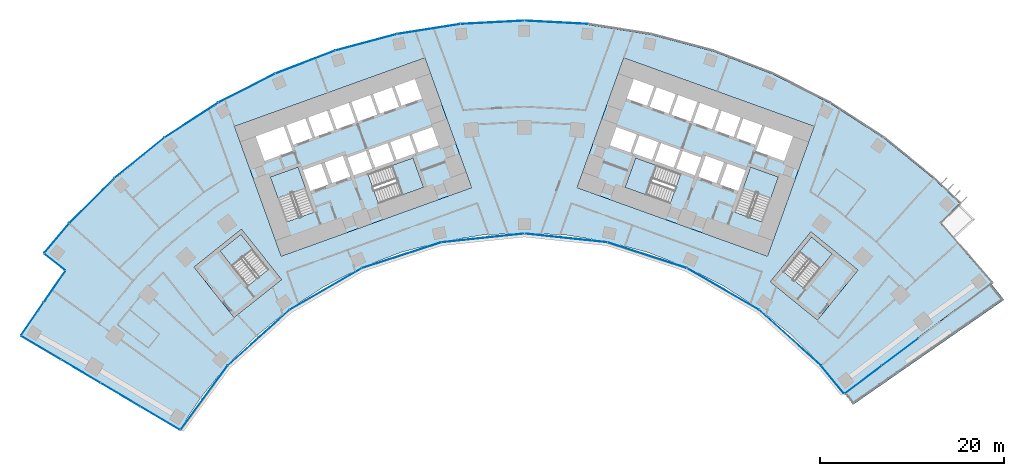
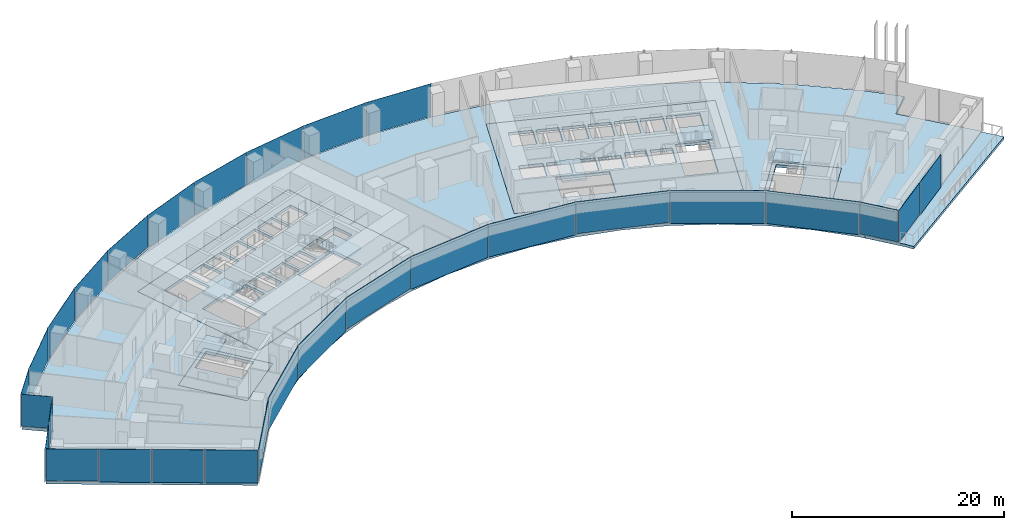
# One storey, part 12 of 21: 29 plates, 12 slabs, 12 elements without a shape of their own.
"""IFC4 building model written with IfcOpenShell, lengths in metres."""

import ifcopenshell
import ifcopenshell.guid

model = None  # the IFC model being written
_history = None  # IfcOwnerHistory: only IFC2X3 demands one
_inside = {}  # id of a spatial element -> (the spatial element, [elements in it])
_under = {}  # id of a project, library or spatial element -> (it, [spatial elements below it])
_declared = {}  # id of a project -> (the project, [libraries it declares])
_typed = {}  # id of a type object -> (the type object, [elements of that type])
_made_of = {}  # id of a material, layer set ... -> (it, [elements and type objects made of it])


def new_model(schema):
    """Start an empty IFC model of exactly this schema.

    Asked for "IFC4X3", IfcOpenShell would pick the latest addendum, in which some entities
    have other attributes; the version numbers below select the first issue.
    IFC2X3 requires an IfcOwnerHistory on every rooted entity: one is made here for all.
    """
    global model, _history
    if schema == "IFC4X3":
        model = ifcopenshell.file(schema_version=(4, 3, 0, 0))
    else:
        model = ifcopenshell.file(schema=schema)
    _inside.clear()
    _under.clear()
    _declared.clear()
    _typed.clear()
    _made_of.clear()
    _history = None
    if model.schema == "IFC2X3":
        org = make("IfcOrganization", Name="unknown")
        user = make(
            "IfcPersonAndOrganization",
            ThePerson=make("IfcPerson", FamilyName="unknown"),
            TheOrganization=org,
        )
        app = make(
            "IfcApplication",
            ApplicationDeveloper=org,
            Version="unknown",
            ApplicationFullName="unknown",
            ApplicationIdentifier="unknown",
        )
        _history = make(
            "IfcOwnerHistory",
            OwningUser=user,
            OwningApplication=app,
            ChangeAction="ADDED",
            CreationDate=0,
        )
    return model


def make(cls, **values):
    """One entity of the class cls with the attributes given. An attribute that is None is left unset."""
    return model.create_entity(
        cls, **{name: value for name, value in values.items() if value is not None}
    )


def rooted(cls, **values):
    """An entity with a GlobalId (a new one), such as an element, a storey or a relation."""
    return make(cls, GlobalId=ifcopenshell.guid.new(), OwnerHistory=_history, **values)


def si_unit(unit_type, name, prefix=None):
    """IfcSIUnit, for example si_unit("LENGTHUNIT", "METRE", prefix="MILLI")."""
    return make("IfcSIUnit", UnitType=unit_type, Prefix=prefix, Name=name)


def assignment(units):
    """IfcUnitAssignment: the units of a project."""
    return None if units is None else make("IfcUnitAssignment", Units=units)


def point(xyz):
    """IfcCartesianPoint."""
    return None if xyz is None else make("IfcCartesianPoint", Coordinates=xyz)


def direction(xyz):
    """IfcDirection."""
    return None if xyz is None else make("IfcDirection", DirectionRatios=xyz)


def frame(location, z_axis=None, x_axis=None):
    """IfcAxis2Placement3D, a coordinate frame: its origin and axes. An axis left out is left unset."""
    return make(
        "IfcAxis2Placement3D",
        Location=point(location),
        Axis=direction(z_axis),
        RefDirection=direction(x_axis),
    )


def frame_2d(location, x_axis=None):
    """IfcAxis2Placement2D, a coordinate frame in the plane: its origin and x axis."""
    return make(
        "IfcAxis2Placement2D", Location=point(location), RefDirection=direction(x_axis)
    )


def origin():
    """The frame at (0, 0, 0) with its axes left unset."""
    return frame((0.0, 0.0, 0.0))


def origin_2d():
    """The frame at (0, 0) in the plane with its x axis left unset."""
    return frame_2d((0.0, 0.0))


def place(relative_to, where):
    """IfcLocalPlacement: puts the frame where relative to a parent placement (None: the world)."""
    return make(
        "IfcLocalPlacement", PlacementRelTo=relative_to, RelativePlacement=where
    )


def context(
    kind, dimensions, precision=None, world=None, true_north=None, identifier=None
):
    """IfcGeometricRepresentationContext, for example the 3D "Model" context."""
    return make(
        "IfcGeometricRepresentationContext",
        ContextIdentifier=identifier,
        ContextType=kind,
        CoordinateSpaceDimension=dimensions,
        Precision=precision,
        WorldCoordinateSystem=world,
        TrueNorth=true_north,
    )


def subcontext(parent, identifier, kind, view, scale=None):
    """IfcGeometricRepresentationSubContext, for example "Body" below "Model"."""
    return make(
        "IfcGeometricRepresentationSubContext",
        ContextIdentifier=identifier,
        ContextType=kind,
        ParentContext=parent,
        TargetScale=scale,
        TargetView=view,
    )


def project(units=None, contexts=None):
    """IfcProject with its units and contexts."""
    return rooted(
        "IfcProject",
        Name="project",
        RepresentationContexts=contexts,
        UnitsInContext=assignment(units),
    )


def spatial(cls, under=None, at=None, **own):
    """A site, building, storey or space (cls), placed at a placement, below another one or the project."""
    s = rooted(cls, ObjectPlacement=at, **own)
    if under is not None:
        _under.setdefault(under.id(), (under, []))[1].append(s)
    return s


def polyline(points):
    """IfcPolyline through the points."""
    return make("IfcPolyline", Points=[point(p) for p in points])


def profile(cls, at=None, kind="AREA", **sizes):
    """A parametric profile (cls). Its sizes go by their IFC names, for example OverallWidth=200.0."""
    return make(cls, ProfileType=kind, Position=at, **sizes)


def rectangle(**sizes):
    """IfcRectangleProfileDef."""
    return profile("IfcRectangleProfileDef", **sizes)


def outline(outer, holes=None, kind="AREA"):
    """IfcArbitraryClosedProfileDef: a profile drawn as a closed curve; with holes, ...WithVoids."""
    if holes is None:
        return make("IfcArbitraryClosedProfileDef", ProfileType=kind, OuterCurve=outer)
    return make(
        "IfcArbitraryProfileDefWithVoids",
        ProfileType=kind,
        OuterCurve=outer,
        InnerCurves=holes,
    )


def extrude(swept, where, along, depth):
    """IfcExtrudedAreaSolid: the profile swept, set in the frame where, extruded along a direction by depth."""
    return make(
        "IfcExtrudedAreaSolid",
        SweptArea=swept,
        Position=where,
        ExtrudedDirection=direction(along),
        Depth=depth,
    )


def shape(context_of_items, identifier, shape_type, items):
    """IfcShapeRepresentation: the items that make up one representation, for example the "Body"."""
    return make(
        "IfcShapeRepresentation",
        ContextOfItems=context_of_items,
        RepresentationIdentifier=identifier,
        RepresentationType=shape_type,
        Items=items,
    )


def material(Name=None, Category=None):
    """IfcMaterial."""
    return make("IfcMaterial", Name=Name, Category=Category)


def layer(
    of_material, thickness, ventilated=None, Name=None, Category=None, Priority=None
):
    """IfcMaterialLayer: one layer of a wall or slab, of a material (None: an air gap)."""
    return make(
        "IfcMaterialLayer",
        Material=of_material,
        LayerThickness=thickness,
        IsVentilated=ventilated,
        Name=Name,
        Category=Category,
        Priority=Priority,
    )


def layer_set(layers, Name=None):
    """IfcMaterialLayerSet."""
    return make("IfcMaterialLayerSet", MaterialLayers=layers, LayerSetName=Name)


def made_of(thing, what):
    """Note that an element or type object is made of a material, layer set ...; save() writes the relation."""
    if what is not None:
        _made_of.setdefault(what.id(), (what, []))[1].append(thing)
    return thing


def type_object(cls, material=None, **own):
    """A type object (cls), such as IfcWallType, which elements share."""
    return made_of(rooted(cls, **own), material)


def element(
    cls,
    number,
    at=None,
    inside=None,
    cuts=None,
    type_object=None,
    material=None,
    context=None,
    identifier="Body",
    shape_type=None,
    held_by="IfcProductDefinitionShape",
    body=None,
    shapes=None,
    **own,
):
    """One element of the class cls, such as IfcWall. Its Tag is "e" and its number.

    at: its placement. inside: the storey or other place that contains it. cuts: it is an
    opening in that element (IfcRelVoidsElement). A single representation is given by context,
    identifier, shape_type and body (its items); several are given by shapes. held_by: the class
    of the entity that holds the representations. save() writes the other relations.
    """
    e = rooted(cls, Tag="e%d" % number, ObjectPlacement=at, **own)
    if body is not None:
        shapes = [shape(context, identifier, shape_type, body)]
    if shapes is not None:
        e.Representation = make(held_by, Representations=shapes)
    if inside is not None:
        _inside.setdefault(inside.id(), (inside, []))[1].append(e)
    if cuts is not None:
        rooted(
            "IfcRelVoidsElement", RelatingBuildingElement=cuts, RelatedOpeningElement=e
        )
    if type_object is not None:
        _typed.setdefault(type_object.id(), (type_object, []))[1].append(e)
    return made_of(e, material)


def aggregate(whole, parts):
    """IfcRelAggregates: a whole, such as a stair, and the parts it consists of."""
    return rooted("IfcRelAggregates", RelatingObject=whole, RelatedObjects=parts)


def save(model, path):
    """Write the relations noted so far, then the file.

    IfcRelAggregates (storeys below a building ...), IfcRelContainedInSpatialStructure (elements
    in a storey), IfcRelDefinesByType, IfcRelAssociatesMaterial and IfcRelDeclares: one each for
    every whole, place, type object, material and project.
    """
    for whole, parts in _under.values():
        aggregate(whole, parts)
    for where, things in _inside.values():
        rooted(
            "IfcRelContainedInSpatialStructure",
            RelatedElements=things,
            RelatingStructure=where,
        )
    for kind, things in _typed.values():
        rooted("IfcRelDefinesByType", RelatedObjects=things, RelatingType=kind)
    for what, things in _made_of.values():
        rooted("IfcRelAssociatesMaterial", RelatedObjects=things, RelatingMaterial=what)
    for by, libraries in _declared.values():
        rooted("IfcRelDeclares", RelatingContext=by, RelatedDefinitions=libraries)
    model.write(path)


model = new_model("IFC4")

# Units and contexts
model_context = context("Model", 3, precision=1e-05, world=origin(), true_north=direction((0.0, 1.0)))
body_context = subcontext(model_context, "Body", "Model", "MODEL_VIEW")
ifc_project = project(units=[si_unit("LENGTHUNIT", "METRE"), si_unit("AREAUNIT", "SQUARE_METRE"), si_unit("VOLUMEUNIT", "CUBIC_METRE"), si_unit("PLANEANGLEUNIT", "RADIAN"), si_unit("MASSUNIT", "GRAM", prefix="KILO")], contexts=[model_context])

# Site, building, storey
site_placement = place(None, origin())
site = spatial("IfcSite", under=ifc_project, at=site_placement, CompositionType="ELEMENT")
building_placement = place(site_placement, origin())
building = spatial("IfcBuilding", under=site, at=building_placement, Name="Stone Belt Terrace Tower", CompositionType="ELEMENT")
storey_placement = place(building_placement, frame((0.0, 0.0, 68.0)))
storey = spatial("IfcBuildingStorey", under=building, at=storey_placement, Name="L16", CompositionType="ELEMENT", Elevation=68.0)

# Curtain wall, plates
ifc_material_1 = material(Name="Aluminium 6063-T6 anodised frame", Category="aluminium")
ifc_layer_1 = layer(ifc_material_1, 0.14990234375)
ifc_layer_set_1 = layer_set([ifc_layer_1], Name="CW-A unitised convex-face curtain wall")
curtain_wall_type_1 = type_object("IfcCurtainWallType", Name="CW-A unitised convex-face curtain wall", PredefinedType="NOTDEFINED", material=ifc_layer_set_1)
curtain_wall_1_placement = place(storey_placement, origin())
curtain_wall_1 = element("IfcCurtainWall", 1, at=curtain_wall_1_placement, inside=storey, type_object=curtain_wall_type_1, Name="CW-A convex face L16", PredefinedType="NOTDEFINED")
ifc_material_2 = material(Name="Clear double glazed unit")
ifc_layer_2 = layer(ifc_material_2, 0.031982421875)
ifc_layer_set_2 = layer_set([ifc_layer_2], Name="CW-A glass panel 32")
plate_type_1 = type_object("IfcPlateType", Name="CW-A glass panel 32", PredefinedType="CURTAIN_PANEL", material=ifc_layer_set_2)
plate_1_placement = place(storey_placement, frame((3.4794921875, 66.392822265625, 0.0), z_axis=(0.0, 0.0, 1.0), x_axis=(-0.998629534755, 0.052335956243, 0.0)))
plate_1 = element("IfcPlate", 2, at=plate_1_placement, type_object=plate_type_1, Name="CW-A panel 8.1", PredefinedType="CURTAIN_PANEL", context=body_context, shape_type="SweptSolid", body=[
    extrude(rectangle(XDim=6.90087890625, YDim=0.031982421875, at=origin_2d()), origin(), (0.0, 0.0, 1.0), 3.800048828125),
])
plate_2_placement = place(storey_placement, frame((-3.4794921875, 66.392822265625, 0.0), z_axis=(0.0, 0.0, 1.0), x_axis=(-0.998629534755, -0.052335956243, 0.0)))
plate_2 = element("IfcPlate", 3, at=plate_2_placement, type_object=plate_type_1, Name="CW-A panel 9.1", PredefinedType="CURTAIN_PANEL", context=body_context, shape_type="SweptSolid", body=[
    extrude(rectangle(XDim=6.90087890625, YDim=0.031982421875, at=origin_2d()), origin(), (0.0, 0.0, 1.0), 3.800048828125),
])
plate_3_placement = place(storey_placement, frame((-10.400390625, 65.665283203125, 0.0), z_axis=(0.0, 0.0, 1.0), x_axis=(-0.987688340595, -0.15643446504, 0.0)))
plate_3 = element("IfcPlate", 4, at=plate_3_placement, type_object=plate_type_1, Name="CW-A panel 10.1", PredefinedType="CURTAIN_PANEL", context=body_context, shape_type="SweptSolid", body=[
    extrude(rectangle(XDim=6.90087890625, YDim=0.031982421875, at=origin_2d()), origin(), (0.0, 0.0, 1.0), 3.800048828125),
])
plate_4_placement = place(storey_placement, frame((-17.207275390625, 64.218505859375, 0.0), z_axis=(0.0, 0.0, 1.0), x_axis=(-0.965925826289, -0.258819045103, 0.0)))
plate_4 = element("IfcPlate", 5, at=plate_4_placement, type_object=plate_type_1, Name="CW-A panel 11.1", PredefinedType="CURTAIN_PANEL", context=body_context, shape_type="SweptSolid", body=[
    extrude(rectangle(XDim=6.90087890625, YDim=0.031982421875, at=origin_2d()), origin(), (0.0, 0.0, 1.0), 3.800048828125),
])
plate_5_placement = place(storey_placement, frame((-23.82568359375, 62.068115234375, 0.0), z_axis=(0.0, 0.0, 1.0), x_axis=(-0.933580426497, -0.358367949545, 0.0)))
plate_5 = element("IfcPlate", 6, at=plate_5_placement, type_object=plate_type_1, Name="CW-A panel 12.1", PredefinedType="CURTAIN_PANEL", context=body_context, shape_type="SweptSolid", body=[
    extrude(rectangle(XDim=6.90087890625, YDim=0.031982421875, at=origin_2d()), origin(), (0.0, 0.0, 1.0), 3.800048828125),
])
plate_6_placement = place(storey_placement, frame((-30.18310546875, 59.237548828125, 0.14013671875), z_axis=(0.0, 0.0, 1.0), x_axis=(-0.891006524188, -0.45399049974, 0.0)))
plate_6 = element("IfcPlate", 7, at=plate_6_placement, type_object=plate_type_1, Name="CW-A panel 13.1", PredefinedType="CURTAIN_PANEL", context=body_context, shape_type="SweptSolid", body=[
    extrude(rectangle(XDim=6.90087890625, YDim=0.031982421875, at=origin_2d()), origin(), (0.0, 0.0, 1.0), 3.659912109375),
])
plate_7_placement = place(storey_placement, frame((-36.209716796875, 55.758056640625, 0.0), z_axis=(0.0, 0.0, 1.0), x_axis=(-0.838670567945, -0.544639035015, 0.0)))
plate_7 = element("IfcPlate", 8, at=plate_7_placement, type_object=plate_type_1, Name="CW-A panel 14.1", PredefinedType="CURTAIN_PANEL", context=body_context, shape_type="SweptSolid", body=[
    extrude(rectangle(XDim=6.90087890625, YDim=0.031982421875, at=origin_2d()), origin(), (0.0, 0.0, 1.0), 3.800048828125),
])
plate_8_placement = place(storey_placement, frame((-41.839599609375, 51.667724609375, 0.0), z_axis=(0.0, 0.0, 1.0), x_axis=(-0.777145961457, -0.62932039105, 0.0)))
plate_8 = element("IfcPlate", 9, at=plate_8_placement, type_object=plate_type_1, Name="CW-A panel 15.1", PredefinedType="CURTAIN_PANEL", context=body_context, shape_type="SweptSolid", body=[
    extrude(rectangle(XDim=6.90087890625, YDim=0.031982421875, at=origin_2d()), origin(), (0.0, 0.0, 1.0), 3.800048828125),
])
plate_9_placement = place(storey_placement, frame((-47.01123046875, 47.01123046875, 0.0), z_axis=(0.0, 0.0, 1.0), x_axis=(-0.707106781187, -0.707106781187, 0.0)))
plate_9 = element("IfcPlate", 10, at=plate_9_placement, type_object=plate_type_1, Name="CW-A panel 16.1", PredefinedType="CURTAIN_PANEL", context=body_context, shape_type="SweptSolid", body=[
    extrude(rectangle(XDim=6.90087890625, YDim=0.031982421875, at=origin_2d()), origin(), (0.0, 0.0, 1.0), 3.800048828125),
])
plate_10_placement = place(storey_placement, frame((-50.84423828125, 42.92626953125, 0.0), z_axis=(0.0, 0.0, 1.0), x_axis=(-0.645291395384, -0.763936525533, 0.0)))
plate_10 = element("IfcPlate", 11, at=plate_10_placement, type_object=plate_type_1, Name="CW-A panel 17.1", PredefinedType="CURTAIN_PANEL", context=body_context, shape_type="SweptSolid", body=[
    extrude(rectangle(XDim=4.17919921875, YDim=0.031982421875, at=origin_2d()), origin(), (0.0, 0.0, 1.0), 3.800048828125),
])
aggregate(curtain_wall_1, [plate_1, plate_2, plate_3, plate_4, plate_5, plate_6, plate_7, plate_8, plate_9, plate_10])

ifc_layer_3 = layer(ifc_material_1, 0.14990234375)
ifc_layer_set_3 = layer_set([ifc_layer_3], Name="CW-B unitised concave-face curtain wall")
curtain_wall_type_2 = type_object("IfcCurtainWallType", Name="CW-B unitised concave-face curtain wall", PredefinedType="NOTDEFINED", material=ifc_layer_set_3)
curtain_wall_2_placement = place(storey_placement, origin())
curtain_wall_2 = element("IfcCurtainWall", 12, at=curtain_wall_2_placement, inside=storey, type_object=curtain_wall_type_2, Name="CW-B concave face L16", PredefinedType="NOTDEFINED")
ifc_layer_4 = layer(ifc_material_2, 0.030029296875)
ifc_layer_set_4 = layer_set([ifc_layer_4], Name="CW-B glass panel 30")
plate_type_2 = type_object("IfcPlateType", Name="CW-B glass panel 30", PredefinedType="CURTAIN_PANEL", material=ifc_layer_set_4)
plate_11_placement = place(storey_placement, frame((-34.831787109375, 25.57177734375, 0.1201171875), z_axis=(0.0, 0.0, 1.0), x_axis=(0.592159017675, 0.805821132626, 0.0)))
plate_11 = element("IfcPlate", 13, at=plate_11_placement, type_object=plate_type_2, Name="CW-B panel 1.1", PredefinedType="CURTAIN_PANEL", context=body_context, shape_type="SweptSolid", body=[
    extrude(rectangle(XDim=8.583984375, YDim=0.030029296875, at=origin_2d()), origin(), (0.0, 0.0, 1.0), 3.679931640625),
])
plate_12_placement = place(storey_placement, frame((-28.897705078125, 32.09375, 0.0), z_axis=(0.0, 0.0, 1.0), x_axis=(0.743144825477, 0.669130606359, 0.0)))
plate_12 = element("IfcPlate", 14, at=plate_12_placement, type_object=plate_type_2, Name="CW-B panel 2.1", PredefinedType="CURTAIN_PANEL", context=body_context, shape_type="SweptSolid", body=[
    extrude(rectangle(XDim=9.01318359375, YDim=0.030029296875, at=origin_2d()), origin(), (0.0, 0.0, 1.0), 3.800048828125),
])
plate_13_placement = place(storey_placement, frame((-21.59326171875, 37.40087890625, 0.0), z_axis=(0.0, 0.0, 1.0), x_axis=(0.866025403784, 0.5, 0.0)))
plate_13 = element("IfcPlate", 15, at=plate_13_placement, type_object=plate_type_2, Name="CW-B panel 3.1", PredefinedType="CURTAIN_PANEL", context=body_context, shape_type="SweptSolid", body=[
    extrude(rectangle(XDim=9.0126953125, YDim=0.030029296875, at=origin_2d()), origin(), (0.0, 0.0, 1.0), 3.800048828125),
])
plate_14_placement = place(storey_placement, frame((-13.345458984375, 41.072998046875, 0.1201171875), z_axis=(0.0, 0.0, 1.0), x_axis=(0.951056516295, 0.309016994375, 0.0)))
plate_14 = element("IfcPlate", 16, at=plate_14_placement, type_object=plate_type_2, Name="CW-B panel 4.1", PredefinedType="CURTAIN_PANEL", context=body_context, shape_type="SweptSolid", body=[
    extrude(rectangle(XDim=9.0126953125, YDim=0.030029296875, at=origin_2d()), origin(), (0.0, 0.0, 1.0), 3.679931640625),
])
plate_15_placement = place(storey_placement, frame((-4.51416015625, 42.9501953125, 0.0), z_axis=(0.0, 0.0, 1.0), x_axis=(0.994521895368, 0.104528463268, 0.0)))
plate_15 = element("IfcPlate", 17, at=plate_15_placement, type_object=plate_type_2, Name="CW-B panel 5.1", PredefinedType="CURTAIN_PANEL", context=body_context, shape_type="SweptSolid", body=[
    extrude(rectangle(XDim=9.0126953125, YDim=0.030029296875, at=origin_2d()), origin(), (0.0, 0.0, 1.0), 3.800048828125),
])
plate_16_placement = place(storey_placement, frame((4.51416015625, 42.9501953125, 0.0), z_axis=(0.0, 0.0, 1.0), x_axis=(0.994521895368, -0.104528463268, 0.0)))
plate_16 = element("IfcPlate", 18, at=plate_16_placement, type_object=plate_type_2, Name="CW-B panel 6.1", PredefinedType="CURTAIN_PANEL", context=body_context, shape_type="SweptSolid", body=[
    extrude(rectangle(XDim=9.0126953125, YDim=0.030029296875, at=origin_2d()), origin(), (0.0, 0.0, 1.0), 3.800048828125),
])
plate_17_placement = place(storey_placement, frame((13.345458984375, 41.072998046875, 0.1201171875), z_axis=(0.0, 0.0, 1.0), x_axis=(0.951056516295, -0.309016994375, 0.0)))
plate_17 = element("IfcPlate", 19, at=plate_17_placement, type_object=plate_type_2, Name="CW-B panel 7.1", PredefinedType="CURTAIN_PANEL", context=body_context, shape_type="SweptSolid", body=[
    extrude(rectangle(XDim=9.0126953125, YDim=0.030029296875, at=origin_2d()), origin(), (0.0, 0.0, 1.0), 3.679931640625),
])
plate_18_placement = place(storey_placement, frame((21.59326171875, 37.40087890625, 0.0), z_axis=(0.0, 0.0, 1.0), x_axis=(0.866025403784, -0.5, 0.0)))
plate_18 = element("IfcPlate", 20, at=plate_18_placement, type_object=plate_type_2, Name="CW-B panel 8.1", PredefinedType="CURTAIN_PANEL", context=body_context, shape_type="SweptSolid", body=[
    extrude(rectangle(XDim=9.0126953125, YDim=0.030029296875, at=origin_2d()), origin(), (0.0, 0.0, 1.0), 3.800048828125),
])
plate_19_placement = place(storey_placement, frame((28.899169921875, 32.092529296875, 0.0), z_axis=(0.0, 0.0, 1.0), x_axis=(0.743144825477, -0.669130606359, 0.0)))
plate_19 = element("IfcPlate", 21, at=plate_19_placement, type_object=plate_type_2, Name="CW-B panel 9.1", PredefinedType="CURTAIN_PANEL", context=body_context, shape_type="SweptSolid", body=[
    extrude(rectangle(XDim=9.017333984375, YDim=0.030029296875, at=origin_2d()), origin(), (0.0, 0.0, 1.0), 3.800048828125),
])
plate_20_placement = place(storey_placement, frame((33.517333984375, 27.541748046875, 0.1201171875), z_axis=(0.0, 0.0, 1.0), x_axis=(0.635210426236, -0.772339118782, 0.0)))
plate_20 = element("IfcPlate", 22, at=plate_20_placement, type_object=plate_type_2, Name="CW-B panel 10.1", PredefinedType="CURTAIN_PANEL", context=body_context, shape_type="SweptSolid", body=[
    extrude(rectangle(XDim=3.858154296875, YDim=0.030029296875, at=origin_2d()), origin(), (0.0, 0.0, 1.0), 3.679931640625),
])
aggregate(curtain_wall_2, [plate_11, plate_12, plate_13, plate_14, plate_15, plate_16, plate_17, plate_18, plate_19, plate_20])

ifc_layer_5 = layer(ifc_material_1, 0.14990234375)
ifc_layer_set_5 = layer_set([ifc_layer_5], Name="CW-C stick curtain wall, horn ends and notches")
curtain_wall_type_3 = type_object("IfcCurtainWallType", Name="CW-C stick curtain wall, horn ends and notches", PredefinedType="NOTDEFINED", material=ifc_layer_set_5)
curtain_wall_3_placement = place(storey_placement, origin())
curtain_wall_3 = element("IfcCurtainWall", 23, at=curtain_wall_3_placement, inside=storey, type_object=curtain_wall_type_3, Name="CW-C end face L16", PredefinedType="NOTDEFINED")
ifc_layer_6 = layer(ifc_material_2, 0.028076171875)
ifc_layer_set_6 = layer_set([ifc_layer_6], Name="CW-C glass panel 28")
plate_type_3 = type_object("IfcPlateType", Name="CW-C glass panel 28", PredefinedType="CURTAIN_PANEL", material=ifc_layer_set_6)
plate_21_placement = place(storey_placement, frame((36.8330078125, 27.532470703125, 0.1201171875), z_axis=(0.0, 0.0, 1.0), x_axis=(0.799986505357, 0.600017992436, 0.0)))
plate_21 = element("IfcPlate", 24, at=plate_21_placement, type_object=plate_type_3, Name="CW-C panel 1.1", PredefinedType="CURTAIN_PANEL", context=body_context, shape_type="SweptSolid", body=[
    extrude(rectangle(XDim=4.96826171875, YDim=0.028076171875, at=origin_2d()), origin(), (0.0, 0.0, 1.0), 3.679931640625),
])
plate_22_placement = place(storey_placement, frame((40.84423828125, 30.541015625, 0.0), z_axis=(0.0, 0.0, 1.0), x_axis=(0.799986505357, 0.600017992436, 0.0)))
plate_22 = element("IfcPlate", 25, at=plate_22_placement, type_object=plate_type_3, Name="CW-C panel 2.1", PredefinedType="CURTAIN_PANEL", context=body_context, shape_type="SweptSolid", body=[
    extrude(rectangle(XDim=4.93994140625, YDim=0.028076171875, at=origin_2d()), origin(), (0.0, 0.0, 1.0), 3.800048828125),
])
aggregate(curtain_wall_3, [plate_21, plate_22])

# Curtain wall, plate
curtain_wall_4_placement = place(storey_placement, origin())
curtain_wall_4 = element("IfcCurtainWall", 26, at=curtain_wall_4_placement, inside=storey, type_object=curtain_wall_type_3, Name="CW-C notch face L16", PredefinedType="NOTDEFINED")
plate_23_placement = place(storey_placement, frame((-51.061279296875, 40.3388671875, 0.1201171875), z_axis=(0.0, 0.0, 1.0), x_axis=(0.783963828584, -0.620806504051, 0.0)))
plate_23 = element("IfcPlate", 27, at=plate_23_placement, type_object=plate_type_3, Name="CW-C panel 1.1", PredefinedType="CURTAIN_PANEL", context=body_context, shape_type="SweptSolid", body=[
    extrude(rectangle(XDim=2.859375, YDim=0.028076171875, at=origin_2d()), origin(), (0.0, 0.0, 1.0), 3.679931640625),
])
aggregate(curtain_wall_4, [plate_23])

# Curtain wall, plates
curtain_wall_5_placement = place(storey_placement, origin())
curtain_wall_5 = element("IfcCurtainWall", 28, at=curtain_wall_5_placement, inside=storey, type_object=curtain_wall_type_3, Name="CW-C notch face L16", PredefinedType="NOTDEFINED")
plate_24_placement = place(storey_placement, frame((-51.091552734375, 37.647705078125, 0.1201171875), z_axis=(0.0, 0.0, 1.0), x_axis=(-0.566375967567, -0.824146991357, 0.0)))
plate_24 = element("IfcPlate", 29, at=plate_24_placement, type_object=plate_type_3, Name="CW-C panel 1.1", PredefinedType="CURTAIN_PANEL", context=body_context, shape_type="SweptSolid", body=[
    extrude(rectangle(XDim=4.12060546875, YDim=0.028076171875, at=origin_2d()), origin(), (0.0, 0.0, 1.0), 3.679931640625),
])
plate_25_placement = place(storey_placement, frame((-53.501220703125, 34.141357421875, 0.0), z_axis=(0.0, 0.0, 1.0), x_axis=(-0.566375967567, -0.824146991357, 0.0)))
plate_25 = element("IfcPlate", 30, at=plate_25_placement, type_object=plate_type_3, Name="CW-C panel 2.1", PredefinedType="CURTAIN_PANEL", context=body_context, shape_type="SweptSolid", body=[
    extrude(rectangle(XDim=4.268798828125, YDim=0.028076171875, at=origin_2d()), origin(), (0.0, 0.0, 1.0), 3.800048828125),
])
aggregate(curtain_wall_5, [plate_24, plate_25])

curtain_wall_6_placement = place(storey_placement, origin())
curtain_wall_6 = element("IfcCurtainWall", 31, at=curtain_wall_6_placement, inside=storey, type_object=curtain_wall_type_3, Name="CW-C end face L16", PredefinedType="NOTDEFINED")
plate_26_placement = place(storey_placement, frame((-52.54736328125, 31.014892578125, 0.1201171875), z_axis=(0.0, 0.0, 1.0), x_axis=(0.860557728521, -0.509352918793, 0.0)))
plate_26 = element("IfcPlate", 32, at=plate_26_placement, type_object=plate_type_3, Name="CW-C panel 1.1", PredefinedType="CURTAIN_PANEL", context=body_context, shape_type="SweptSolid", body=[
    extrude(rectangle(XDim=4.974853515625, YDim=0.028076171875, at=origin_2d()), origin(), (0.0, 0.0, 1.0), 3.679931640625),
])
plate_27_placement = place(storey_placement, frame((-48.2294921875, 28.459228515625, 0.0), z_axis=(0.0, 0.0, 1.0), x_axis=(0.860557728521, -0.509352918793, 0.0)))
plate_27 = element("IfcPlate", 33, at=plate_27_placement, type_object=plate_type_3, Name="CW-C panel 2.1", PredefinedType="CURTAIN_PANEL", context=body_context, shape_type="SweptSolid", body=[
    extrude(rectangle(XDim=4.93994140625, YDim=0.028076171875, at=origin_2d()), origin(), (0.0, 0.0, 1.0), 3.800048828125),
])
plate_28_placement = place(storey_placement, frame((-43.9267578125, 25.912353515625, 0.0), z_axis=(0.0, 0.0, 1.0), x_axis=(0.860557728521, -0.509352918793, 0.0)))
plate_28 = element("IfcPlate", 34, at=plate_28_placement, type_object=plate_type_3, Name="CW-C panel 3.1", PredefinedType="CURTAIN_PANEL", context=body_context, shape_type="SweptSolid", body=[
    extrude(rectangle(XDim=4.93994140625, YDim=0.028076171875, at=origin_2d()), origin(), (0.0, 0.0, 1.0), 3.800048828125),
])
plate_29_placement = place(storey_placement, frame((-39.613037109375, 23.359130859375, 0.0), z_axis=(0.0, 0.0, 1.0), x_axis=(0.860557728521, -0.509352918793, 0.0)))
plate_29 = element("IfcPlate", 35, at=plate_29_placement, type_object=plate_type_3, Name="CW-C panel 4.1", PredefinedType="CURTAIN_PANEL", context=body_context, shape_type="SweptSolid", body=[
    extrude(rectangle(XDim=4.96533203125, YDim=0.028076171875, at=origin_2d()), origin(), (0.0, 0.0, 1.0), 3.800048828125),
])
aggregate(curtain_wall_6, [plate_26, plate_27, plate_28, plate_29])

# Slabs
ifc_material_3 = material(Name="Concrete B40", Category="concrete")
ifc_layer_7 = layer(ifc_material_3, 0.320068359375)
ifc_layer_set_7 = layer_set([ifc_layer_7], Name="Core floor slab 320")
slab_type_1 = type_object("IfcSlabType", Name="Core floor slab 320", PredefinedType="FLOOR", material=ifc_layer_set_7)
slab_1_placement = place(storey_placement, frame((0.0, 0.0, -0.320068359375)))
element("IfcSlab", 36, at=slab_1_placement, inside=storey, type_object=slab_type_1, Name="Core A floor L16", PredefinedType="FLOOR", context=body_context, shape_type="SweptSolid", body=[
    extrude(outline(polyline([(-26.43505859375, 40.968994140625), (-5.735107421875, 48.4189453125), (-10.81396484375, 62.531982421875), (-31.513916015625, 55.0830078125), (-26.43505859375, 40.968994140625)]), holes=[polyline([(-24.60791015625, 50.659912109375), (-22.847900390625, 45.76806640625), (-25.85888671875, 44.68408203125), (-27.618896484375, 49.575927734375), (-24.60791015625, 50.659912109375)]), polyline([(-21.27392578125, 48.778076171875), (-23.25, 48.06689453125), (-24.06298828125, 50.324951171875), (-22.0869140625, 51.035888671875), (-21.27392578125, 48.778076171875)]), polyline([(-18.922119140625, 49.6240234375), (-20.89794921875, 48.9130859375), (-21.7109375, 51.1708984375), (-19.735107421875, 51.883056640625), (-18.922119140625, 49.6240234375)]), polyline([(-19.239990234375, 51.68896484375), (-17.217041015625, 52.4169921875), (-16.52294921875, 50.488037109375), (-18.5458984375, 49.760009765625), (-19.239990234375, 51.68896484375)]), polyline([(-29.2109375, 53.9990234375), (-26.153076171875, 55.09912109375), (-25.18798828125, 52.41796875), (-28.24609375, 51.31689453125), (-29.2109375, 53.9990234375)]), polyline([(-23.801025390625, 55.946044921875), (-23.0390625, 53.8291015625), (-25.10888671875, 53.083984375), (-25.87109375, 55.200927734375), (-23.801025390625, 55.946044921875)]), polyline([(-21.447998046875, 56.7919921875), (-20.68603515625, 54.675048828125), (-22.756103515625, 53.929931640625), (-23.51806640625, 56.047119140625), (-21.447998046875, 56.7919921875)]), polyline([(-19.095947265625, 57.638916015625), (-18.333984375, 55.52197265625), (-20.404052734375, 54.777099609375), (-21.166015625, 56.89404296875), (-19.095947265625, 57.638916015625)]), polyline([(-15.846923828125, 46.69189453125), (-16.998046875, 49.89208984375), (-12.10595703125, 51.652099609375), (-10.955078125, 48.452880859375), (-15.846923828125, 46.69189453125)]), polyline([(-16.239990234375, 50.589111328125), (-16.93408203125, 52.51806640625), (-14.864013671875, 53.262939453125), (-14.169921875, 51.333984375), (-16.239990234375, 50.589111328125)]), polyline([(-11.801025390625, 52.134033203125), (-11.847900390625, 52.116943359375), (-11.864990234375, 52.1640625), (-13.887939453125, 51.43603515625), (-14.58203125, 53.364990234375), (-12.511962890625, 54.110107421875), (-11.801025390625, 52.134033203125)]), polyline([(-9.30810546875, 53.031005859375), (-11.51904296875, 52.235107421875), (-12.22998046875, 54.2109375), (-10.01904296875, 55.007080078125), (-9.30810546875, 53.031005859375)]), polyline([(-16.743896484375, 58.485107421875), (-15.98193359375, 56.367919921875), (-18.052001953125, 55.623046875), (-18.81396484375, 57.739990234375), (-16.743896484375, 58.485107421875)]), polyline([(-14.39111328125, 59.33203125), (-13.6298828125, 57.215087890625), (-15.699951171875, 56.469970703125), (-16.4609375, 58.5869140625), (-14.39111328125, 59.33203125)]), polyline([(-11.89794921875, 60.22900390625), (-11.135986328125, 58.112060546875), (-13.346923828125, 57.31591796875), (-14.10888671875, 59.43408203125), (-11.89794921875, 60.22900390625)])]), origin(), (0.0, 0.0, 1.0), 0.320068359375),
])
slab_2_placement = place(storey_placement, frame((0.0, 0.0, -0.320068359375)))
element("IfcSlab", 37, at=slab_2_placement, inside=storey, type_object=slab_type_1, Name="Core B floor L16", PredefinedType="FLOOR", context=body_context, shape_type="SweptSolid", body=[
    extrude(outline(polyline([(26.43505859375, 40.968994140625), (31.513916015625, 55.0830078125), (10.81396484375, 62.531982421875), (5.735107421875, 48.4189453125), (26.43505859375, 40.968994140625)]), holes=[polyline([(12.10595703125, 51.652099609375), (16.998046875, 49.89208984375), (15.846923828125, 46.69189453125), (10.955078125, 48.452880859375), (12.10595703125, 51.652099609375)]), polyline([(19.239990234375, 51.68896484375), (18.5458984375, 49.760009765625), (16.52294921875, 50.488037109375), (17.217041015625, 52.4169921875), (19.239990234375, 51.68896484375)]), polyline([(16.239990234375, 50.589111328125), (14.169921875, 51.333984375), (14.864013671875, 53.262939453125), (16.93408203125, 52.51806640625), (16.239990234375, 50.589111328125)]), polyline([(14.58203125, 53.364990234375), (13.887939453125, 51.43603515625), (11.864990234375, 52.1640625), (11.847900390625, 52.116943359375), (11.801025390625, 52.134033203125), (12.511962890625, 54.110107421875), (14.58203125, 53.364990234375)]), polyline([(9.30810546875, 53.031005859375), (10.01904296875, 55.007080078125), (12.22998046875, 54.2109375), (11.51904296875, 52.235107421875), (9.30810546875, 53.031005859375)]), polyline([(16.743896484375, 58.485107421875), (18.81396484375, 57.739990234375), (18.052001953125, 55.623046875), (15.98193359375, 56.367919921875), (16.743896484375, 58.485107421875)]), polyline([(14.39111328125, 59.33203125), (16.4609375, 58.5869140625), (15.699951171875, 56.469970703125), (13.6298828125, 57.215087890625), (14.39111328125, 59.33203125)]), polyline([(11.89794921875, 60.22900390625), (14.10888671875, 59.43408203125), (13.346923828125, 57.31591796875), (11.135986328125, 58.112060546875), (11.89794921875, 60.22900390625)]), polyline([(25.85888671875, 44.68408203125), (22.847900390625, 45.76806640625), (24.60791015625, 50.659912109375), (27.618896484375, 49.575927734375), (25.85888671875, 44.68408203125)]), polyline([(21.27392578125, 48.778076171875), (22.0869140625, 51.035888671875), (24.06298828125, 50.324951171875), (23.25, 48.06689453125), (21.27392578125, 48.778076171875)]), polyline([(18.922119140625, 49.6240234375), (19.735107421875, 51.883056640625), (21.7109375, 51.1708984375), (20.89794921875, 48.9130859375), (18.922119140625, 49.6240234375)]), polyline([(29.2109375, 53.9990234375), (28.24609375, 51.31689453125), (25.18798828125, 52.41796875), (26.153076171875, 55.09912109375), (29.2109375, 53.9990234375)]), polyline([(23.801025390625, 55.946044921875), (25.87109375, 55.200927734375), (25.10888671875, 53.083984375), (23.0390625, 53.8291015625), (23.801025390625, 55.946044921875)]), polyline([(21.447998046875, 56.7919921875), (23.51806640625, 56.047119140625), (22.756103515625, 53.929931640625), (20.68603515625, 54.675048828125), (21.447998046875, 56.7919921875)]), polyline([(19.095947265625, 57.638916015625), (21.166015625, 56.89404296875), (20.404052734375, 54.777099609375), (18.333984375, 55.52197265625), (19.095947265625, 57.638916015625)])]), origin(), (0.0, 0.0, 1.0), 0.320068359375),
])
slab_3_placement = place(storey_placement, frame((0.0, 0.0, -0.320068359375)))
element("IfcSlab", 38, at=slab_3_placement, inside=storey, type_object=slab_type_1, Name="Exit stair ST3A floor L16", PredefinedType="FLOOR", context=body_context, shape_type="SweptSolid", body=[
    extrude(outline(polyline([(-26.39404296875, 38.425048828125), (-30.756103515625, 43.89990234375), (-35.91796875, 39.787109375), (-31.555908203125, 34.31298828125), (-26.39404296875, 38.425048828125)]), holes=[polyline([(-27.798095703125, 39.544921875), (-30.06591796875, 37.738037109375), (-33.087890625, 41.531005859375), (-30.820068359375, 43.337890625), (-27.798095703125, 39.544921875)])]), origin(), (0.0, 0.0, 1.0), 0.320068359375),
])
slab_4_placement = place(storey_placement, frame((0.0, 0.0, -0.320068359375)))
element("IfcSlab", 39, at=slab_4_placement, inside=storey, type_object=slab_type_1, Name="Exit stair ST3B floor L16", PredefinedType="FLOOR", context=body_context, shape_type="SweptSolid", body=[
    extrude(outline(polyline([(26.741943359375, 38.18408203125), (31.866943359375, 34.02392578125), (36.278076171875, 39.458984375), (31.154052734375, 43.618896484375), (26.741943359375, 38.18408203125)]), holes=[polyline([(30.407958984375, 37.462890625), (28.156005859375, 39.291015625), (31.2119140625, 43.055908203125), (33.464111328125, 41.22802734375), (30.407958984375, 37.462890625)])]), origin(), (0.0, 0.0, 1.0), 0.320068359375),
])
ifc_layer_8 = layer(ifc_material_3, 0.320068359375)
ifc_layer_set_8 = layer_set([ifc_layer_8], Name="Floor slab 320 B40")
slab_type_2 = type_object("IfcSlabType", Name="Floor slab 320 B40", PredefinedType="FLOOR", material=ifc_layer_set_8)
slab_5_placement = place(storey_placement, frame((0.0, 0.0, -0.320068359375)))
element("IfcSlab", 40, at=slab_5_placement, inside=storey, type_object=slab_type_2, Name="Floor slab L16", PredefinedType="FLOOR", context=body_context, shape_type="SweptSolid", body=[
    extrude(outline(polyline([(-49.419189453125, 44.497314453125), (-44.497314453125, 49.419189453125), (-39.087646484375, 53.799560546875), (-33.25, 57.5908203125), (-27.048095703125, 60.750732421875), (-20.549560546875, 63.245361328125), (-13.826171875, 65.046875), (-6.951171875, 66.1357421875), (0.0, 66.5), (6.951171875, 66.1357421875), (13.826171875, 65.046875), (20.549560546875, 63.245361328125), (27.048095703125, 60.750732421875), (33.25, 57.5908203125), (39.087646484375, 53.799560546875), (44.497314453125, 49.419189453125), (47.328857421875, 46.714111328125), (45.19384765625, 44.606689453125), (50.799072265625, 38.10107421875), (34.79931640625, 26.100830078125), (32.326904296875, 29.107177734375), (29.107177734375, 32.326904296875), (25.568603515625, 35.192138671875), (21.75, 37.672119140625), (17.693115234375, 39.7392578125), (13.442138671875, 41.37109375), (9.044189453125, 42.54931640625), (4.547119140625, 43.26171875), (0.0, 43.5), (-4.547119140625, 43.26171875), (-9.044189453125, 42.54931640625), (-13.442138671875, 41.37109375), (-17.693115234375, 39.7392578125), (-21.75, 37.672119140625), (-25.568603515625, 35.192138671875), (-29.107177734375, 32.326904296875), (-32.326904296875, 29.107177734375), (-35.192138671875, 25.568603515625), (-37.434326171875, 22.156982421875), (-54.6455078125, 32.343994140625), (-49.78173828125, 39.421142578125), (-52.133544921875, 41.28369140625), (-49.419189453125, 44.497314453125)]), holes=[polyline([(-26.434814453125, 40.968994140625), (-5.734619140625, 48.418701171875), (-10.81396484375, 62.532470703125), (-31.51416015625, 55.082763671875), (-26.434814453125, 40.968994140625)]), polyline([(10.81396484375, 62.532470703125), (5.734619140625, 48.418701171875), (26.434814453125, 40.968994140625), (31.51416015625, 55.082763671875), (10.81396484375, 62.532470703125)]), polyline([(-35.91796875, 39.787353515625), (-31.55615234375, 34.3125), (-26.39404296875, 38.425048828125), (-30.756103515625, 43.89990234375), (-35.91796875, 39.787353515625)]), polyline([(36.2783203125, 39.459228515625), (31.15380859375, 43.61865234375), (26.742431640625, 38.18359375), (31.86669921875, 34.024169921875), (36.2783203125, 39.459228515625)])]), origin(), (0.0, 0.0, 1.0), 0.320068359375),
])

# Stair, slab
stair_type = type_object("IfcStairType", Name="Exit stair 1500", PredefinedType="HALF_TURN_STAIR", material=ifc_material_3)
stair_1_placement = place(storey_placement, origin())
stair_1 = element("IfcStair", 41, at=stair_1_placement, inside=storey, type_object=stair_type, Name="L16 Exit stair 1 core A", PredefinedType="HALF_TURN_STAIR")
ifc_layer_9 = layer(ifc_material_3, 0.199951171875)
ifc_layer_set_9 = layer_set([ifc_layer_9], Name="Stair landing 200")
slab_type_3 = type_object("IfcSlabType", Name="Stair landing 200", PredefinedType="LANDING", material=ifc_layer_set_9)
slab_6_placement = place(storey_placement, frame((0.0, 0.0, 1.699951171875)))
slab_6 = element("IfcSlab", 42, at=slab_6_placement, type_object=slab_type_3, Name="ST1A landing 1", PredefinedType="LANDING", context=body_context, shape_type="SweptSolid", body=[
    extrude(outline(polyline([(-23.79541015625, 48.40087890625), (-24.6083984375, 50.659912109375), (-27.619384765625, 49.576171875), (-26.806396484375, 47.3173828125), (-23.79541015625, 48.40087890625)])), origin(), (0.0, 0.0, 1.0), 0.199951171875),
])
aggregate(stair_1, [slab_6])

stair_2_placement = place(storey_placement, origin())
stair_2 = element("IfcStair", 43, at=stair_2_placement, inside=storey, type_object=stair_type, Name="L16 Exit stair 2 core A", PredefinedType="HALF_TURN_STAIR")
slab_7_placement = place(storey_placement, frame((0.0, 0.0, 1.699951171875)))
slab_7 = element("IfcSlab", 44, at=slab_7_placement, type_object=slab_type_3, Name="ST2A landing 1", PredefinedType="LANDING", context=body_context, shape_type="SweptSolid", body=[
    extrude(outline(polyline([(-13.213623046875, 47.64013671875), (-10.95458984375, 48.453125), (-12.10595703125, 51.652099609375), (-14.36474609375, 50.839111328125), (-13.213623046875, 47.64013671875)])), origin(), (0.0, 0.0, 1.0), 0.199951171875),
])
aggregate(stair_2, [slab_7])

stair_3_placement = place(storey_placement, origin())
stair_3 = element("IfcStair", 45, at=stair_3_placement, inside=storey, type_object=stair_type, Name="L16 Exit stair 1 core B", PredefinedType="HALF_TURN_STAIR")
slab_8_placement = place(storey_placement, frame((0.0, 0.0, 1.699951171875)))
slab_8 = element("IfcSlab", 46, at=slab_8_placement, type_object=slab_type_3, Name="ST1B landing 1", PredefinedType="LANDING", context=body_context, shape_type="SweptSolid", body=[
    extrude(outline(polyline([(26.806396484375, 47.3173828125), (27.619384765625, 49.576171875), (24.6083984375, 50.659912109375), (23.79541015625, 48.40087890625), (26.806396484375, 47.3173828125)])), origin(), (0.0, 0.0, 1.0), 0.199951171875),
])
aggregate(stair_3, [slab_8])

stair_4_placement = place(storey_placement, origin())
stair_4 = element("IfcStair", 47, at=stair_4_placement, inside=storey, type_object=stair_type, Name="L16 Exit stair 2 core B", PredefinedType="HALF_TURN_STAIR")
slab_9_placement = place(storey_placement, frame((0.0, 0.0, 1.699951171875)))
slab_9 = element("IfcSlab", 48, at=slab_9_placement, type_object=slab_type_3, Name="ST2B landing 1", PredefinedType="LANDING", context=body_context, shape_type="SweptSolid", body=[
    extrude(outline(polyline([(14.36474609375, 50.839111328125), (12.10595703125, 51.652099609375), (10.95458984375, 48.453125), (13.213623046875, 47.64013671875), (14.36474609375, 50.839111328125)])), origin(), (0.0, 0.0, 1.0), 0.199951171875),
])
aggregate(stair_4, [slab_9])

stair_5_placement = place(storey_placement, origin())
stair_5 = element("IfcStair", 49, at=stair_5_placement, inside=storey, type_object=stair_type, Name="L16 Exit stair 3A", PredefinedType="HALF_TURN_STAIR")
slab_10_placement = place(storey_placement, frame((0.0, 0.0, 1.699951171875)))
slab_10 = element("IfcSlab", 50, at=slab_10_placement, type_object=slab_type_3, Name="ST3A landing 1", PredefinedType="LANDING", context=body_context, shape_type="SweptSolid", body=[
    extrude(outline(polyline([(-29.541748046875, 41.73388671875), (-30.819580078125, 43.337890625), (-33.087646484375, 41.53076171875), (-31.809814453125, 39.9267578125), (-29.541748046875, 41.73388671875)])), origin(), (0.0, 0.0, 1.0), 0.199951171875),
])
aggregate(stair_5, [slab_10])

stair_6_placement = place(storey_placement, origin())
stair_6 = element("IfcStair", 51, at=stair_6_placement, inside=storey, type_object=stair_type, Name="L16 Exit stair 3B", PredefinedType="HALF_TURN_STAIR")
slab_11_placement = place(storey_placement, frame((0.0, 0.0, 1.699951171875)))
slab_11 = element("IfcSlab", 52, at=slab_11_placement, type_object=slab_type_3, Name="ST3B landing 1", PredefinedType="LANDING", context=body_context, shape_type="SweptSolid", body=[
    extrude(outline(polyline([(32.17138671875, 39.635986328125), (33.4638671875, 41.228271484375), (31.21240234375, 43.055908203125), (29.919921875, 41.463623046875), (32.17138671875, 39.635986328125)])), origin(), (0.0, 0.0, 1.0), 0.199951171875),
])
aggregate(stair_6, [slab_11])

# Slab
ifc_layer_10 = layer(ifc_material_3, 0.300048828125)
ifc_layer_set_10 = layer_set([ifc_layer_10], Name="Terrace slab 300 B40")
slab_type_4 = type_object("IfcSlabType", Name="Terrace slab 300 B40", PredefinedType="FLOOR", material=ifc_layer_set_10)
slab_12_placement = place(storey_placement, frame((0.0, 0.0, -0.300048828125)))
element("IfcSlab", 53, at=slab_12_placement, inside=storey, type_object=slab_type_4, Name="Terrace slab L16-stack_terrace-1", PredefinedType="FLOOR", context=body_context, shape_type="SweptSolid", body=[
    extrude(outline(polyline([(35.725341796875, 24.818359375), (52.15087890625, 36.22900390625), (50.707763671875, 38.03271484375), (34.79931640625, 26.100830078125), (32.65478515625, 28.70849609375), (32.651611328125, 28.7060546875), (35.192138671875, 25.568603515625), (35.725341796875, 24.818359375)])), origin(), (0.0, 0.0, 1.0), 0.300048828125),
])

save(model, "model.ifc")
